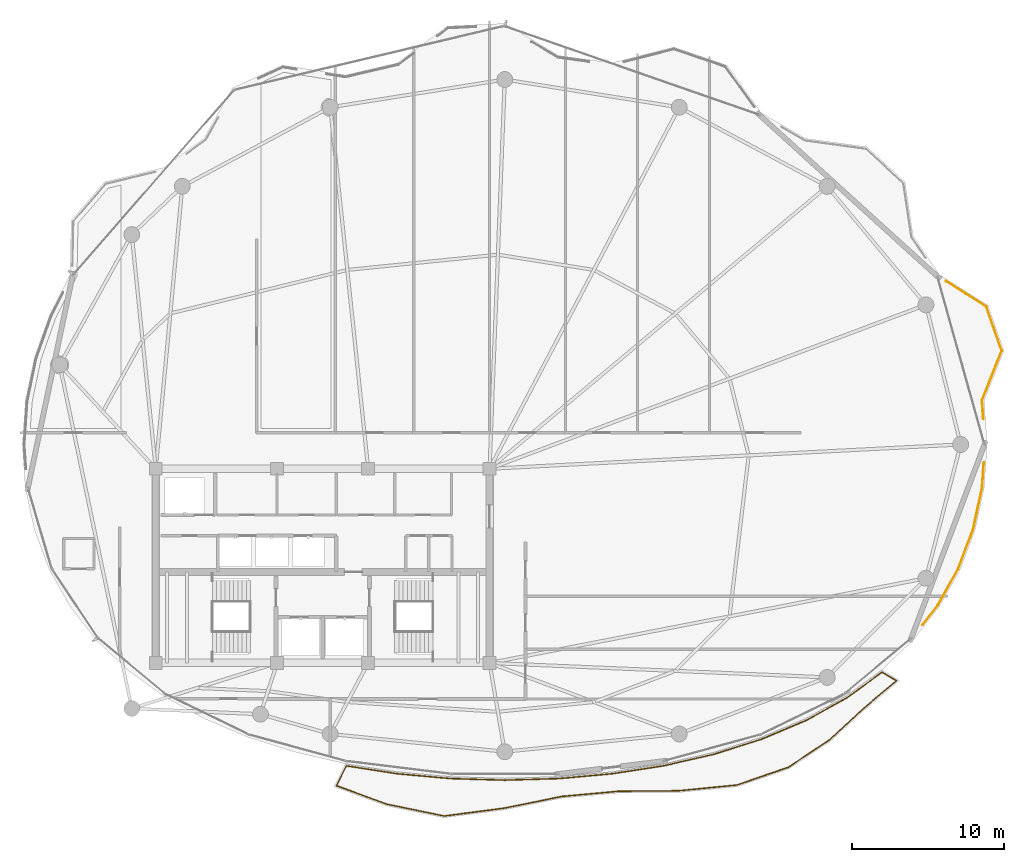
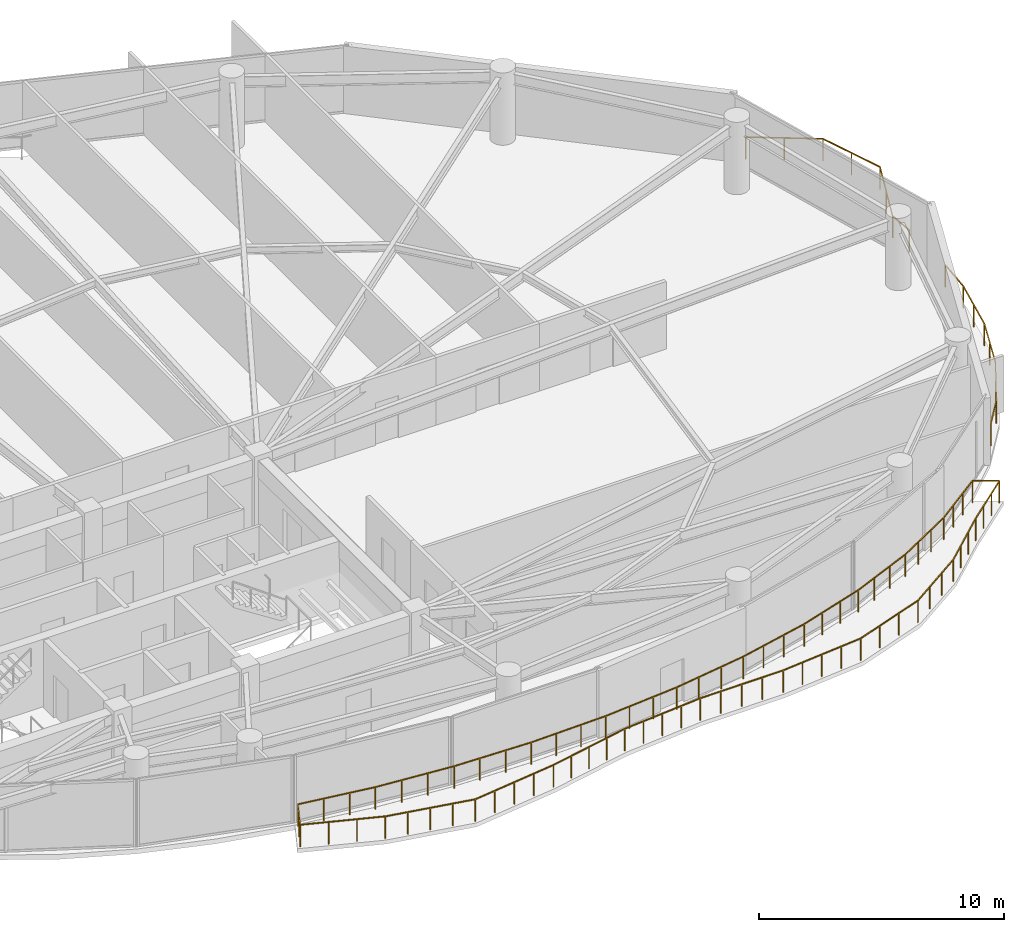
# One storey, part 27 of 28: 3 railings.
"""IFC4 building model written with IfcOpenShell, lengths in metres."""

from ifc_helpers import new_model, si_unit, direction, frame, origin, origin_2d, place, context, subcontext, project, spatial, rectangle, extrude, material, type_object, element, save


model = new_model("IFC4")

# Units and contexts
model_context = context("Model", 3, precision=1e-05, world=origin(), true_north=direction((0.0, 1.0)))
body_context = subcontext(model_context, "Body", "Model", "MODEL_VIEW")
ifc_project = project(units=[si_unit("LENGTHUNIT", "METRE"), si_unit("AREAUNIT", "SQUARE_METRE"), si_unit("VOLUMEUNIT", "CUBIC_METRE"), si_unit("PLANEANGLEUNIT", "RADIAN"), si_unit("MASSUNIT", "GRAM", prefix="KILO")], contexts=[model_context])

# Site, building, storey
site_placement = place(None, origin())
site = spatial("IfcSite", under=ifc_project, at=site_placement, CompositionType="ELEMENT")
building_placement = place(site_placement, origin())
building = spatial("IfcBuilding", under=site, at=building_placement, Name="Kazevale Care Tower and Concert Hall", CompositionType="ELEMENT")
storey_placement = place(building_placement, frame((0.0, 0.0, 228.0)))
storey = spatial("IfcBuildingStorey", under=building, at=storey_placement, Name="L60", CompositionType="ELEMENT", Elevation=228.0)

# Railings
ifc_material = material(Name="Anodised Bronze Aluminium and Laminated Glass", Category="aluminium")
railing_type = type_object("IfcRailingType", Name="Balcony and Terrace Balustrade 1120", PredefinedType="BALUSTRADE", material=ifc_material)
railing_1_placement = place(storey_placement, frame((76.576904296875, 36.81103515625, 0.0)))
element("IfcRailing", 1, at=railing_1_placement, inside=storey, type_object=railing_type, Name="rail:L60:perim:10", PredefinedType="BALUSTRADE", context=body_context, shape_type="SweptSolid", body=[
    extrude(rectangle(XDim=0.048095703125, YDim=0.048095703125, at=origin_2d()), frame((0.0, 0.0, 1.09619140625), z_axis=(-0.069683140934, -0.997569175481, 0.0), x_axis=(0.997569175481, -0.069683140934, 0.0)), (0.0, 0.0, 1.0), 1.664306640625),
    extrude(rectangle(XDim=0.048095703125, YDim=0.048095703125, at=origin_2d()), frame((-0.115966796875, -1.66015625, 1.09619140625), z_axis=(-0.210886672564, -0.97751051725, 0.0), x_axis=(0.97751051725, -0.210886672564, 0.0)), (0.0, 0.0, 1.0), 2.81201171875),
    extrude(rectangle(XDim=0.048095703125, YDim=0.048095703125, at=origin_2d()), frame((-0.708984375, -4.408935546875, 1.09619140625), z_axis=(-0.352914941795, -0.935655408715, 0.0), x_axis=(0.935655408715, -0.352914941795, 0.0)), (0.0, 0.0, 1.0), 2.77685546875),
    extrude(rectangle(XDim=0.048095703125, YDim=0.048095703125, at=origin_2d()), frame((-1.68896484375, -7.007080078125, 1.09619140625), z_axis=(-0.490131162051, -0.871648692987, 0.0), x_axis=(0.871648692987, -0.490131162051, 0.0)), (0.0, 0.0, 1.0), 2.762451171875),
    extrude(rectangle(XDim=0.048095703125, YDim=0.048095703125, at=origin_2d()), frame((-3.04296875, -9.4150390625, 1.09619140625), z_axis=(-0.615507243123, -0.788131228707, 0.0), x_axis=(0.788131228707, -0.615507243123, 0.0)), (0.0, 0.0, 1.0), 1.6279296875),
    extrude(rectangle(XDim=0.0419921875, YDim=0.0419921875, at=origin_2d()), origin(), (0.0, 0.0, 1.0), 1.072021484375),
    extrude(rectangle(XDim=0.0419921875, YDim=0.0419921875, at=origin_2d()), frame((-0.115966796875, -1.66015625, 0.0)), (0.0, 0.0, 1.0), 1.072021484375),
    extrude(rectangle(XDim=0.0419921875, YDim=0.0419921875, at=origin_2d()), frame((-0.41259765625, -3.03466796875, 0.0)), (0.0, 0.0, 1.0), 1.072021484375),
    extrude(rectangle(XDim=0.0419921875, YDim=0.0419921875, at=origin_2d()), frame((-0.708984375, -4.408935546875, 0.0)), (0.0, 0.0, 1.0), 1.072021484375),
    extrude(rectangle(XDim=0.0419921875, YDim=0.0419921875, at=origin_2d()), frame((-1.198974609375, -5.7080078125, 0.0)), (0.0, 0.0, 1.0), 1.072021484375),
    extrude(rectangle(XDim=0.0419921875, YDim=0.0419921875, at=origin_2d()), frame((-1.68896484375, -7.007080078125, 0.0)), (0.0, 0.0, 1.0), 1.072021484375),
    extrude(rectangle(XDim=0.0419921875, YDim=0.0419921875, at=origin_2d()), frame((-2.365966796875, -8.2109375, 0.0)), (0.0, 0.0, 1.0), 1.072021484375),
    extrude(rectangle(XDim=0.0419921875, YDim=0.0419921875, at=origin_2d()), frame((-3.04296875, -9.4150390625, 0.0)), (0.0, 0.0, 1.0), 1.072021484375),
    extrude(rectangle(XDim=0.0419921875, YDim=0.0419921875, at=origin_2d()), frame((-4.044921875, -10.697998046875, 0.0)), (0.0, 0.0, 1.0), 1.072021484375),
])
railing_2_placement = place(storey_placement, frame((74.073974609375, 48.760009765625, 0.0)))
element("IfcRailing", 2, at=railing_2_placement, inside=storey, type_object=railing_type, Name="rail:L60:perim:11", PredefinedType="BALUSTRADE", context=body_context, shape_type="SweptSolid", body=[
    extrude(rectangle(XDim=0.048095703125, YDim=0.048095703125, at=origin_2d()), frame((0.0, 0.0, 1.09619140625), z_axis=(0.845028885188, -0.534720659034, 0.0), x_axis=(0.534720659034, 0.845028885188, 0.0)), (0.0, 0.0, 1.0), 3.155029296875),
    extrude(rectangle(XDim=0.048095703125, YDim=0.048095703125, at=origin_2d()), frame((2.666015625, -1.68701171875, 1.09619140625), z_axis=(0.330541862018, -0.943791331521, 0.0), x_axis=(0.943791331521, 0.330541862018, 0.0)), (0.0, 0.0, 1.0), 3.0673828125),
    extrude(rectangle(XDim=0.048095703125, YDim=0.048095703125, at=origin_2d()), frame((3.679931640625, -4.58203125, 1.09619140625), z_axis=(-0.368706440166, -0.929545889658, 0.0), x_axis=(0.929545889658, -0.368706440166, 0.0)), (0.0, 0.0, 1.0), 3.5146484375),
    extrude(rectangle(XDim=0.048095703125, YDim=0.048095703125, at=origin_2d()), frame((2.384033203125, -7.84912109375, 1.09619140625), z_axis=(0.069088253147, -0.997610551907, 0.0), x_axis=(0.997610551907, 0.069088253147, 0.0)), (0.0, 0.0, 1.0), 1.229736328125),
    extrude(rectangle(XDim=0.0419921875, YDim=0.0419921875, at=origin_2d()), origin(), (0.0, 0.0, 1.0), 1.072021484375),
    extrude(rectangle(XDim=0.0419921875, YDim=0.0419921875, at=origin_2d()), frame((1.3330078125, -0.843505859375, 0.0)), (0.0, 0.0, 1.0), 1.072021484375),
    extrude(rectangle(XDim=0.0419921875, YDim=0.0419921875, at=origin_2d()), frame((2.666015625, -1.68701171875, 0.0)), (0.0, 0.0, 1.0), 1.072021484375),
    extrude(rectangle(XDim=0.0419921875, YDim=0.0419921875, at=origin_2d()), frame((3.1728515625, -3.134521484375, 0.0)), (0.0, 0.0, 1.0), 1.072021484375),
    extrude(rectangle(XDim=0.0419921875, YDim=0.0419921875, at=origin_2d()), frame((3.679931640625, -4.58203125, 0.0)), (0.0, 0.0, 1.0), 1.072021484375),
    extrude(rectangle(XDim=0.0419921875, YDim=0.0419921875, at=origin_2d()), frame((3.031982421875, -6.215576171875, 0.0)), (0.0, 0.0, 1.0), 1.072021484375),
    extrude(rectangle(XDim=0.0419921875, YDim=0.0419921875, at=origin_2d()), frame((2.384033203125, -7.84912109375, 0.0)), (0.0, 0.0, 1.0), 1.072021484375),
    extrude(rectangle(XDim=0.0419921875, YDim=0.0419921875, at=origin_2d()), frame((2.468994140625, -9.075927734375, 0.0)), (0.0, 0.0, 1.0), 1.072021484375),
])
railing_3_placement = place(storey_placement, frame((34.56298828125, 16.819091796875, 0.0)))
element("IfcRailing", 3, at=railing_3_placement, inside=storey, type_object=railing_type, Name="rail:L60:balcony", PredefinedType="BALUSTRADE", context=body_context, shape_type="SweptSolid", body=[
    extrude(rectangle(XDim=0.048095703125, YDim=0.048095703125, at=origin_2d()), frame((0.0, 0.0, 1.09619140625), z_axis=(0.988093340761, -0.15385561395, 0.0), x_axis=(0.15385561395, 0.988093340761, 0.0)), (0.0, 0.0, 1.0), 3.38623046875),
    extrude(rectangle(XDim=0.048095703125, YDim=0.048095703125, at=origin_2d()), frame((3.345947265625, -0.52099609375, 1.09619140625), z_axis=(0.995947899496, -0.089932093766, 0.0), x_axis=(0.089932093766, 0.995947899496, 0.0)), (0.0, 0.0, 1.0), 3.537353515625),
    extrude(rectangle(XDim=0.048095703125, YDim=0.048095703125, at=origin_2d()), frame((6.868896484375, -0.839111328125, 1.09619140625), z_axis=(0.999567458851, -0.029409100739, 0.0), x_axis=(0.029409100739, 0.999567458851, 0.0)), (0.0, 0.0, 1.0), 3.569580078125),
    extrude(rectangle(XDim=0.048095703125, YDim=0.048095703125, at=origin_2d()), frame((10.43701171875, -0.944091796875, 1.09619140625), z_axis=(0.999567458851, 0.029409100739, 0.0), x_axis=(-0.029409100739, 0.999567458851, 0.0)), (0.0, 0.0, 1.0), 3.569580078125),
    extrude(rectangle(XDim=0.048095703125, YDim=0.048095703125, at=origin_2d()), frame((14.005126953125, -0.839111328125, 1.09619140625), z_axis=(0.995947899496, 0.089932093766, 0.0), x_axis=(-0.089932093766, 0.995947899496, 0.0)), (0.0, 0.0, 1.0), 3.537353515625),
    extrude(rectangle(XDim=0.048095703125, YDim=0.048095703125, at=origin_2d()), frame((17.528076171875, -0.52099609375, 1.09619140625), z_axis=(0.988098216207, 0.153824299539, 0.0), x_axis=(-0.153824299539, 0.988098216207, 0.0)), (0.0, 0.0, 1.0), 3.4775390625),
    extrude(rectangle(XDim=0.048095703125, YDim=0.048095703125, at=origin_2d()), frame((20.964111328125, 0.013916015625, 1.09619140625), z_axis=(0.974534254558, 0.224238682418, 0.0), x_axis=(-0.224238682418, 0.974534254558, 0.0)), (0.0, 0.0, 1.0), 3.389404296875),
    extrude(rectangle(XDim=0.048095703125, YDim=0.048095703125, at=origin_2d()), frame((24.26708984375, 0.77392578125, 1.09619140625), z_axis=(0.953239514235, 0.302215864078, 0.0), x_axis=(-0.302215864078, 0.953239514235, 0.0)), (0.0, 0.0, 1.0), 3.285400390625),
    extrude(rectangle(XDim=0.048095703125, YDim=0.048095703125, at=origin_2d()), frame((27.39892578125, 1.766845703125, 1.09619140625), z_axis=(0.921006567992, 0.389547046858, 0.0), x_axis=(-0.389547046858, 0.921006567992, 0.0)), (0.0, 0.0, 1.0), 3.170654296875),
    extrude(rectangle(XDim=0.048095703125, YDim=0.048095703125, at=origin_2d()), frame((30.319091796875, 3.001953125, 1.09619140625), z_axis=(0.874149737903, 0.485656499724, 0.0), x_axis=(-0.485656499724, 0.874149737903, 0.0)), (0.0, 0.0, 1.0), 3.055419921875),
    extrude(rectangle(XDim=0.048095703125, YDim=0.048095703125, at=origin_2d()), frame((32.989990234375, 4.48583984375, 1.09619140625), z_axis=(0.809111467971, 0.587655198562, 0.0), x_axis=(-0.587655198562, 0.809111467971, 0.0)), (0.0, 0.0, 1.0), 2.867431640625),
    extrude(rectangle(XDim=0.048095703125, YDim=0.048095703125, at=origin_2d()), frame((35.31005859375, 6.1708984375, 1.09619140625), z_axis=(0.858355490947, -0.513055407497, 0.0), x_axis=(0.513055407497, 0.858355490947, 0.0)), (0.0, 0.0, 1.0), 1.097412109375),
    extrude(rectangle(XDim=0.048095703125, YDim=0.048095703125, at=origin_2d()), frame((36.251953125, 5.60791015625, 1.09619140625), z_axis=(-0.765382237853, -0.643575970635, 0.0), x_axis=(0.643575970635, -0.765382237853, 0.0)), (0.0, 0.0, 1.0), 2.84814453125),
    extrude(rectangle(XDim=0.048095703125, YDim=0.048095703125, at=origin_2d()), frame((34.072021484375, 3.77490234375, 1.09619140625), z_axis=(-0.734809593591, -0.678273441296, 0.0), x_axis=(0.678273441296, -0.734809593591, 0.0)), (0.0, 0.0, 1.0), 3.04443359375),
    extrude(rectangle(XDim=0.048095703125, YDim=0.048095703125, at=origin_2d()), frame((31.8349609375, 1.7099609375, 1.09619140625), z_axis=(-0.832223601123, -0.554440148018, 0.0), x_axis=(0.554440148018, -0.832223601123, 0.0)), (0.0, 0.0, 1.0), 3.250244140625),
    extrude(rectangle(XDim=0.048095703125, YDim=0.048095703125, at=origin_2d()), frame((29.130126953125, -0.092041015625, 1.09619140625), z_axis=(-0.944927546461, -0.327279592915, 0.0), x_axis=(0.327279592915, -0.944927546461, 0.0)), (0.0, 0.0, 1.0), 3.57177734375),
    extrude(rectangle(XDim=0.048095703125, YDim=0.048095703125, at=origin_2d()), frame((25.755126953125, -1.260986328125, 1.09619140625), z_axis=(-0.995092942124, -0.098944613476, 0.0), x_axis=(0.098944613476, -0.995092942124, 0.0)), (0.0, 0.0, 1.0), 3.89111328125),
    extrude(rectangle(XDim=0.048095703125, YDim=0.048095703125, at=origin_2d()), frame((21.883056640625, -1.64599609375, 1.09619140625), z_axis=(-0.99997777298, -0.006667349309, 0.0), x_axis=(0.006667349309, -0.99997777298, 0.0)), (0.0, 0.0, 1.0), 3.91796875),
    extrude(rectangle(XDim=0.048095703125, YDim=0.048095703125, at=origin_2d()), frame((17.965087890625, -1.672119140625, 1.09619140625), z_axis=(-0.99587513771, -0.090734282886, 0.0), x_axis=(0.090734282886, -0.99587513771, 0.0)), (0.0, 0.0, 1.0), 3.769775390625),
    extrude(rectangle(XDim=0.048095703125, YDim=0.048095703125, at=origin_2d()), frame((14.2109375, -2.01416015625, 1.09619140625), z_axis=(-0.979871067121, -0.199631389865, 0.0), x_axis=(0.199631389865, -0.979871067121, 0.0)), (0.0, 0.0, 1.0), 3.871826171875),
    extrude(rectangle(XDim=0.048095703125, YDim=0.048095703125, at=origin_2d()), frame((10.4169921875, -2.787109375, 1.09619140625), z_axis=(-0.991590904465, -0.12941204806, 0.0), x_axis=(0.12941204806, -0.991590904465, 0.0)), (0.0, 0.0, 1.0), 4.0107421875),
    extrude(rectangle(XDim=0.048095703125, YDim=0.048095703125, at=origin_2d()), frame((6.43994140625, -3.30615234375, 1.09619140625), z_axis=(-0.979336041778, 0.202239751962, 0.0), x_axis=(-0.202239751962, -0.979336041778, 0.0)), (0.0, 0.0, 1.0), 3.86181640625),
    extrude(rectangle(XDim=0.048095703125, YDim=0.048095703125, at=origin_2d()), frame((2.657958984375, -2.525146484375, 1.09619140625), z_axis=(-0.938478951026, 0.345336442445, 0.0), x_axis=(-0.345336442445, -0.938478951026, 0.0)), (0.0, 0.0, 1.0), 3.527099609375),
    extrude(rectangle(XDim=0.048095703125, YDim=0.048095703125, at=origin_2d()), frame((-0.652099609375, -1.30712890625, 1.09619140625), z_axis=(0.446411179125, 0.89482794947, 0.0), x_axis=(-0.89482794947, 0.446411179125, 0.0)), (0.0, 0.0, 1.0), 1.460693359375),
    extrude(rectangle(XDim=0.0419921875, YDim=0.0419921875, at=origin_2d()), origin(), (0.0, 0.0, 1.0), 1.072021484375),
    extrude(rectangle(XDim=0.0419921875, YDim=0.0419921875, at=origin_2d()), frame((1.115234375, -0.173583984375, 0.0)), (0.0, 0.0, 1.0), 1.072021484375),
    extrude(rectangle(XDim=0.0419921875, YDim=0.0419921875, at=origin_2d()), frame((2.230712890625, -0.347412109375, 0.0)), (0.0, 0.0, 1.0), 1.072021484375),
    extrude(rectangle(XDim=0.0419921875, YDim=0.0419921875, at=origin_2d()), frame((3.345947265625, -0.52099609375, 0.0)), (0.0, 0.0, 1.0), 1.072021484375),
    extrude(rectangle(XDim=0.0419921875, YDim=0.0419921875, at=origin_2d()), frame((4.520263671875, -0.626953125, 0.0)), (0.0, 0.0, 1.0), 1.072021484375),
    extrude(rectangle(XDim=0.0419921875, YDim=0.0419921875, at=origin_2d()), frame((5.694580078125, -0.733154296875, 0.0)), (0.0, 0.0, 1.0), 1.072021484375),
    extrude(rectangle(XDim=0.0419921875, YDim=0.0419921875, at=origin_2d()), frame((6.868896484375, -0.839111328125, 0.0)), (0.0, 0.0, 1.0), 1.072021484375),
    extrude(rectangle(XDim=0.0419921875, YDim=0.0419921875, at=origin_2d()), frame((8.058349609375, -0.8740234375, 0.0)), (0.0, 0.0, 1.0), 1.072021484375),
    extrude(rectangle(XDim=0.0419921875, YDim=0.0419921875, at=origin_2d()), frame((9.24755859375, -0.9091796875, 0.0)), (0.0, 0.0, 1.0), 1.072021484375),
    extrude(rectangle(XDim=0.0419921875, YDim=0.0419921875, at=origin_2d()), frame((10.43701171875, -0.944091796875, 0.0)), (0.0, 0.0, 1.0), 1.072021484375),
    extrude(rectangle(XDim=0.0419921875, YDim=0.0419921875, at=origin_2d()), frame((11.62646484375, -0.9091796875, 0.0)), (0.0, 0.0, 1.0), 1.072021484375),
    extrude(rectangle(XDim=0.0419921875, YDim=0.0419921875, at=origin_2d()), frame((12.815673828125, -0.8740234375, 0.0)), (0.0, 0.0, 1.0), 1.072021484375),
    extrude(rectangle(XDim=0.0419921875, YDim=0.0419921875, at=origin_2d()), frame((14.005126953125, -0.839111328125, 0.0)), (0.0, 0.0, 1.0), 1.072021484375),
    extrude(rectangle(XDim=0.0419921875, YDim=0.0419921875, at=origin_2d()), frame((15.179443359375, -0.733154296875, 0.0)), (0.0, 0.0, 1.0), 1.072021484375),
    extrude(rectangle(XDim=0.0419921875, YDim=0.0419921875, at=origin_2d()), frame((16.353759765625, -0.626953125, 0.0)), (0.0, 0.0, 1.0), 1.072021484375),
    extrude(rectangle(XDim=0.0419921875, YDim=0.0419921875, at=origin_2d()), frame((17.528076171875, -0.52099609375, 0.0)), (0.0, 0.0, 1.0), 1.072021484375),
    extrude(rectangle(XDim=0.0419921875, YDim=0.0419921875, at=origin_2d()), frame((18.67333984375, -0.3427734375, 0.0)), (0.0, 0.0, 1.0), 1.072021484375),
    extrude(rectangle(XDim=0.0419921875, YDim=0.0419921875, at=origin_2d()), frame((19.81884765625, -0.164306640625, 0.0)), (0.0, 0.0, 1.0), 1.072021484375),
    extrude(rectangle(XDim=0.0419921875, YDim=0.0419921875, at=origin_2d()), frame((20.964111328125, 0.013916015625, 0.0)), (0.0, 0.0, 1.0), 1.072021484375),
    extrude(rectangle(XDim=0.0419921875, YDim=0.0419921875, at=origin_2d()), frame((22.065185546875, 0.267333984375, 0.0)), (0.0, 0.0, 1.0), 1.072021484375),
    extrude(rectangle(XDim=0.0419921875, YDim=0.0419921875, at=origin_2d()), frame((23.166015625, 0.5205078125, 0.0)), (0.0, 0.0, 1.0), 1.072021484375),
    extrude(rectangle(XDim=0.0419921875, YDim=0.0419921875, at=origin_2d()), frame((24.26708984375, 0.77392578125, 0.0)), (0.0, 0.0, 1.0), 1.072021484375),
    extrude(rectangle(XDim=0.0419921875, YDim=0.0419921875, at=origin_2d()), frame((25.31103515625, 1.10498046875, 0.0)), (0.0, 0.0, 1.0), 1.072021484375),
    extrude(rectangle(XDim=0.0419921875, YDim=0.0419921875, at=origin_2d()), frame((26.35498046875, 1.435791015625, 0.0)), (0.0, 0.0, 1.0), 1.072021484375),
    extrude(rectangle(XDim=0.0419921875, YDim=0.0419921875, at=origin_2d()), frame((27.39892578125, 1.766845703125, 0.0)), (0.0, 0.0, 1.0), 1.072021484375),
    extrude(rectangle(XDim=0.0419921875, YDim=0.0419921875, at=origin_2d()), frame((28.372314453125, 2.178466796875, 0.0)), (0.0, 0.0, 1.0), 1.072021484375),
    extrude(rectangle(XDim=0.0419921875, YDim=0.0419921875, at=origin_2d()), frame((29.345703125, 2.59033203125, 0.0)), (0.0, 0.0, 1.0), 1.072021484375),
    extrude(rectangle(XDim=0.0419921875, YDim=0.0419921875, at=origin_2d()), frame((30.319091796875, 3.001953125, 0.0)), (0.0, 0.0, 1.0), 1.072021484375),
    extrude(rectangle(XDim=0.0419921875, YDim=0.0419921875, at=origin_2d()), frame((31.20947265625, 3.49658203125, 0.0)), (0.0, 0.0, 1.0), 1.072021484375),
    extrude(rectangle(XDim=0.0419921875, YDim=0.0419921875, at=origin_2d()), frame((32.099609375, 3.9912109375, 0.0)), (0.0, 0.0, 1.0), 1.072021484375),
    extrude(rectangle(XDim=0.0419921875, YDim=0.0419921875, at=origin_2d()), frame((32.989990234375, 4.48583984375, 0.0)), (0.0, 0.0, 1.0), 1.072021484375),
    extrude(rectangle(XDim=0.0419921875, YDim=0.0419921875, at=origin_2d()), frame((33.763427734375, 5.047607421875, 0.0)), (0.0, 0.0, 1.0), 1.072021484375),
    extrude(rectangle(XDim=0.0419921875, YDim=0.0419921875, at=origin_2d()), frame((34.53662109375, 5.609130859375, 0.0)), (0.0, 0.0, 1.0), 1.072021484375),
    extrude(rectangle(XDim=0.0419921875, YDim=0.0419921875, at=origin_2d()), frame((35.31005859375, 6.1708984375, 0.0)), (0.0, 0.0, 1.0), 1.072021484375),
    extrude(rectangle(XDim=0.0419921875, YDim=0.0419921875, at=origin_2d()), frame((36.251953125, 5.60791015625, 0.0)), (0.0, 0.0, 1.0), 1.072021484375),
    extrude(rectangle(XDim=0.0419921875, YDim=0.0419921875, at=origin_2d()), frame((35.525390625, 4.996826171875, 0.0)), (0.0, 0.0, 1.0), 1.072021484375),
    extrude(rectangle(XDim=0.0419921875, YDim=0.0419921875, at=origin_2d()), frame((34.798583984375, 4.385986328125, 0.0)), (0.0, 0.0, 1.0), 1.072021484375),
    extrude(rectangle(XDim=0.0419921875, YDim=0.0419921875, at=origin_2d()), frame((34.072021484375, 3.77490234375, 0.0)), (0.0, 0.0, 1.0), 1.072021484375),
    extrude(rectangle(XDim=0.0419921875, YDim=0.0419921875, at=origin_2d()), frame((33.326416015625, 3.086669921875, 0.0)), (0.0, 0.0, 1.0), 1.072021484375),
    extrude(rectangle(XDim=0.0419921875, YDim=0.0419921875, at=origin_2d()), frame((32.58056640625, 2.398193359375, 0.0)), (0.0, 0.0, 1.0), 1.072021484375),
    extrude(rectangle(XDim=0.0419921875, YDim=0.0419921875, at=origin_2d()), frame((31.8349609375, 1.7099609375, 0.0)), (0.0, 0.0, 1.0), 1.072021484375),
    extrude(rectangle(XDim=0.0419921875, YDim=0.0419921875, at=origin_2d()), frame((30.933349609375, 1.109375, 0.0)), (0.0, 0.0, 1.0), 1.072021484375),
    extrude(rectangle(XDim=0.0419921875, YDim=0.0419921875, at=origin_2d()), frame((30.03173828125, 0.508544921875, 0.0)), (0.0, 0.0, 1.0), 1.072021484375),
    extrude(rectangle(XDim=0.0419921875, YDim=0.0419921875, at=origin_2d()), frame((29.130126953125, -0.092041015625, 0.0)), (0.0, 0.0, 1.0), 1.072021484375),
    extrude(rectangle(XDim=0.0419921875, YDim=0.0419921875, at=origin_2d()), frame((28.005126953125, -0.481689453125, 0.0)), (0.0, 0.0, 1.0), 1.072021484375),
    extrude(rectangle(XDim=0.0419921875, YDim=0.0419921875, at=origin_2d()), frame((26.880126953125, -0.871337890625, 0.0)), (0.0, 0.0, 1.0), 1.072021484375),
    extrude(rectangle(XDim=0.0419921875, YDim=0.0419921875, at=origin_2d()), frame((25.755126953125, -1.260986328125, 0.0)), (0.0, 0.0, 1.0), 1.072021484375),
    extrude(rectangle(XDim=0.0419921875, YDim=0.0419921875, at=origin_2d()), frame((24.787109375, -1.357177734375, 0.0)), (0.0, 0.0, 1.0), 1.072021484375),
    extrude(rectangle(XDim=0.0419921875, YDim=0.0419921875, at=origin_2d()), frame((23.819091796875, -1.45361328125, 0.0)), (0.0, 0.0, 1.0), 1.072021484375),
    extrude(rectangle(XDim=0.0419921875, YDim=0.0419921875, at=origin_2d()), frame((22.85107421875, -1.5498046875, 0.0)), (0.0, 0.0, 1.0), 1.072021484375),
    extrude(rectangle(XDim=0.0419921875, YDim=0.0419921875, at=origin_2d()), frame((21.883056640625, -1.64599609375, 0.0)), (0.0, 0.0, 1.0), 1.072021484375),
    extrude(rectangle(XDim=0.0419921875, YDim=0.0419921875, at=origin_2d()), frame((20.903564453125, -1.652587890625, 0.0)), (0.0, 0.0, 1.0), 1.072021484375),
    extrude(rectangle(XDim=0.0419921875, YDim=0.0419921875, at=origin_2d()), frame((19.924072265625, -1.6591796875, 0.0)), (0.0, 0.0, 1.0), 1.072021484375),
    extrude(rectangle(XDim=0.0419921875, YDim=0.0419921875, at=origin_2d()), frame((18.944580078125, -1.66552734375, 0.0)), (0.0, 0.0, 1.0), 1.072021484375),
    extrude(rectangle(XDim=0.0419921875, YDim=0.0419921875, at=origin_2d()), frame((17.965087890625, -1.672119140625, 0.0)), (0.0, 0.0, 1.0), 1.072021484375),
    extrude(rectangle(XDim=0.0419921875, YDim=0.0419921875, at=origin_2d()), frame((17.026611328125, -1.757568359375, 0.0)), (0.0, 0.0, 1.0), 1.072021484375),
    extrude(rectangle(XDim=0.0419921875, YDim=0.0419921875, at=origin_2d()), frame((16.087890625, -1.84326171875, 0.0)), (0.0, 0.0, 1.0), 1.072021484375),
    extrude(rectangle(XDim=0.0419921875, YDim=0.0419921875, at=origin_2d()), frame((15.1494140625, -1.9287109375, 0.0)), (0.0, 0.0, 1.0), 1.072021484375),
    extrude(rectangle(XDim=0.0419921875, YDim=0.0419921875, at=origin_2d()), frame((14.2109375, -2.01416015625, 0.0)), (0.0, 0.0, 1.0), 1.072021484375),
    extrude(rectangle(XDim=0.0419921875, YDim=0.0419921875, at=origin_2d()), frame((13.262451171875, -2.20751953125, 0.0)), (0.0, 0.0, 1.0), 1.072021484375),
    extrude(rectangle(XDim=0.0419921875, YDim=0.0419921875, at=origin_2d()), frame((12.31396484375, -2.400634765625, 0.0)), (0.0, 0.0, 1.0), 1.072021484375),
    extrude(rectangle(XDim=0.0419921875, YDim=0.0419921875, at=origin_2d()), frame((11.365478515625, -2.59375, 0.0)), (0.0, 0.0, 1.0), 1.072021484375),
    extrude(rectangle(XDim=0.0419921875, YDim=0.0419921875, at=origin_2d()), frame((10.4169921875, -2.787109375, 0.0)), (0.0, 0.0, 1.0), 1.072021484375),
    extrude(rectangle(XDim=0.0419921875, YDim=0.0419921875, at=origin_2d()), frame((9.4228515625, -2.9169921875, 0.0)), (0.0, 0.0, 1.0), 1.072021484375),
    extrude(rectangle(XDim=0.0419921875, YDim=0.0419921875, at=origin_2d()), frame((8.428466796875, -3.046630859375, 0.0)), (0.0, 0.0, 1.0), 1.072021484375),
    extrude(rectangle(XDim=0.0419921875, YDim=0.0419921875, at=origin_2d()), frame((7.43408203125, -3.17626953125, 0.0)), (0.0, 0.0, 1.0), 1.072021484375),
    extrude(rectangle(XDim=0.0419921875, YDim=0.0419921875, at=origin_2d()), frame((6.43994140625, -3.30615234375, 0.0)), (0.0, 0.0, 1.0), 1.072021484375),
    extrude(rectangle(XDim=0.0419921875, YDim=0.0419921875, at=origin_2d()), frame((5.494384765625, -3.11083984375, 0.0)), (0.0, 0.0, 1.0), 1.072021484375),
    extrude(rectangle(XDim=0.0419921875, YDim=0.0419921875, at=origin_2d()), frame((4.548828125, -2.91552734375, 0.0)), (0.0, 0.0, 1.0), 1.072021484375),
    extrude(rectangle(XDim=0.0419921875, YDim=0.0419921875, at=origin_2d()), frame((3.603515625, -2.720458984375, 0.0)), (0.0, 0.0, 1.0), 1.072021484375),
    extrude(rectangle(XDim=0.0419921875, YDim=0.0419921875, at=origin_2d()), frame((2.657958984375, -2.525146484375, 0.0)), (0.0, 0.0, 1.0), 1.072021484375),
    extrude(rectangle(XDim=0.0419921875, YDim=0.0419921875, at=origin_2d()), frame((1.5546875, -2.119140625, 0.0)), (0.0, 0.0, 1.0), 1.072021484375),
    extrude(rectangle(XDim=0.0419921875, YDim=0.0419921875, at=origin_2d()), frame((0.451171875, -1.713134765625, 0.0)), (0.0, 0.0, 1.0), 1.072021484375),
    extrude(rectangle(XDim=0.0419921875, YDim=0.0419921875, at=origin_2d()), frame((-0.652099609375, -1.30712890625, 0.0)), (0.0, 0.0, 1.0), 1.072021484375),
    extrude(rectangle(XDim=0.0419921875, YDim=0.0419921875, at=origin_2d()), frame((-0.326171875, -0.653564453125, 0.0)), (0.0, 0.0, 1.0), 1.072021484375),
])

save(model, "model.ifc")
